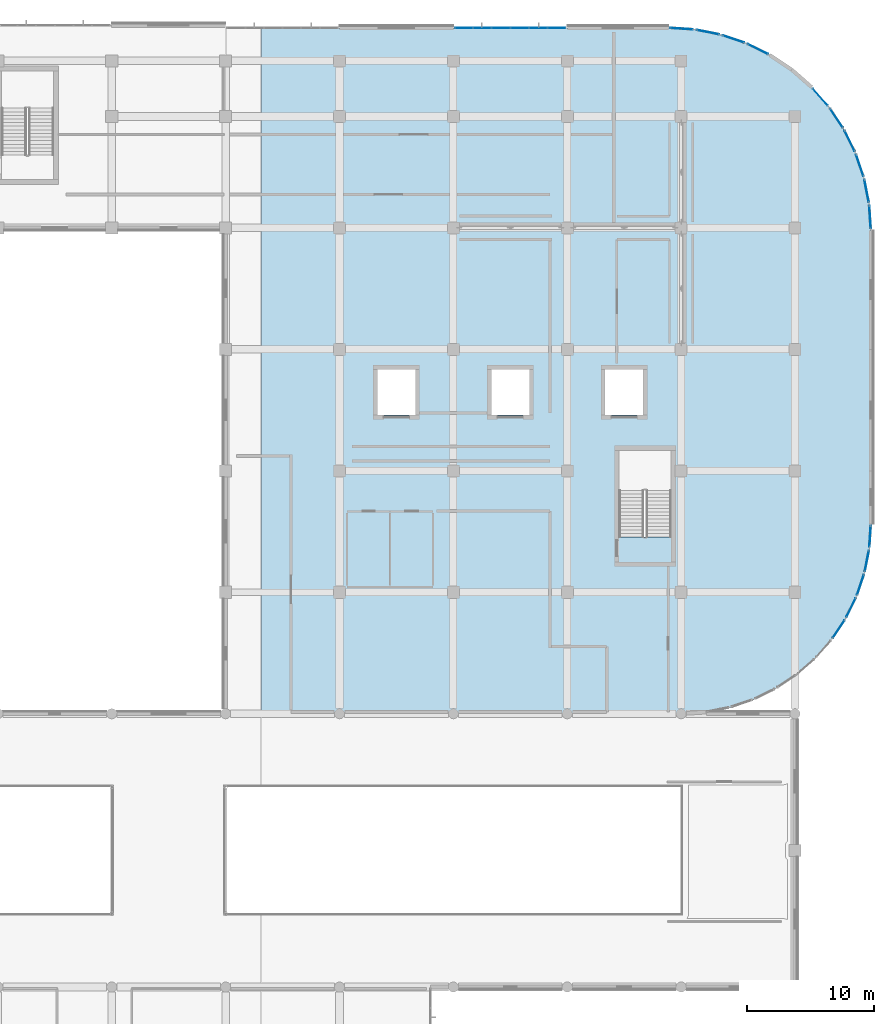
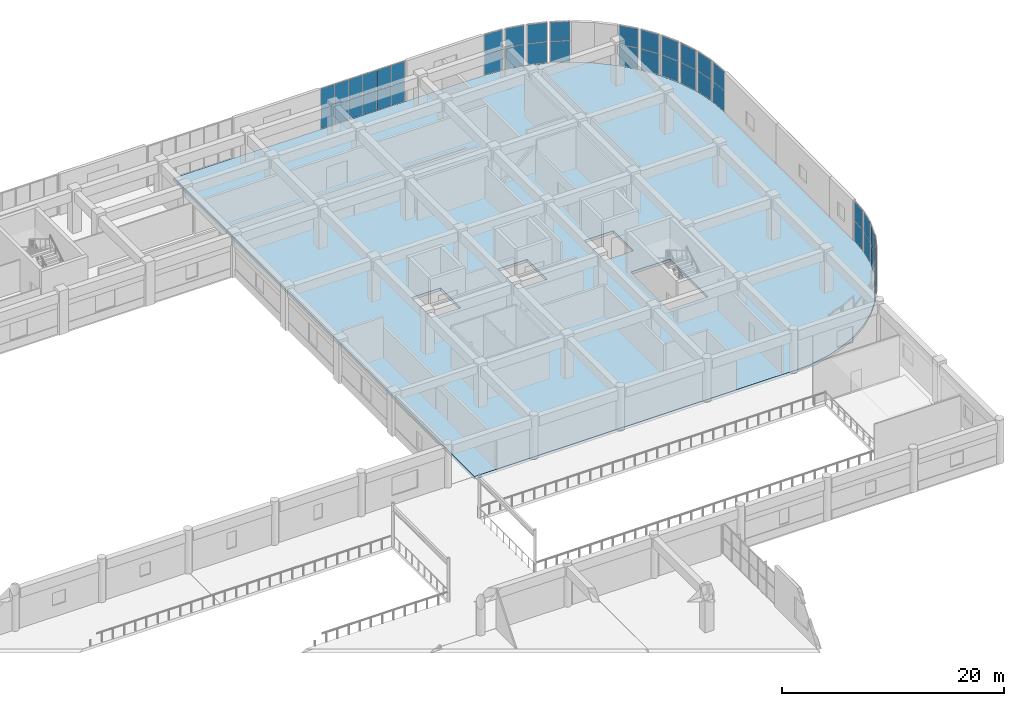
# One storey, part 49 of 86: 42 plates, 1 slab, 16 elements without a shape of their own.
"""IFC4 building model written with IfcOpenShell, lengths in metres."""

import ifcopenshell
import ifcopenshell.guid

model = None  # the IFC model being written
_history = None  # IfcOwnerHistory: only IFC2X3 demands one
_inside = {}  # id of a spatial element -> (the spatial element, [elements in it])
_under = {}  # id of a project, library or spatial element -> (it, [spatial elements below it])
_declared = {}  # id of a project -> (the project, [libraries it declares])
_typed = {}  # id of a type object -> (the type object, [elements of that type])
_made_of = {}  # id of a material, layer set ... -> (it, [elements and type objects made of it])


def new_model(schema):
    """Start an empty IFC model of exactly this schema.

    Asked for "IFC4X3", IfcOpenShell would pick the latest addendum, in which some entities
    have other attributes; the version numbers below select the first issue.
    IFC2X3 requires an IfcOwnerHistory on every rooted entity: one is made here for all.
    """
    global model, _history
    if schema == "IFC4X3":
        model = ifcopenshell.file(schema_version=(4, 3, 0, 0))
    else:
        model = ifcopenshell.file(schema=schema)
    _inside.clear()
    _under.clear()
    _declared.clear()
    _typed.clear()
    _made_of.clear()
    _history = None
    if model.schema == "IFC2X3":
        org = make("IfcOrganization", Name="unknown")
        user = make(
            "IfcPersonAndOrganization",
            ThePerson=make("IfcPerson", FamilyName="unknown"),
            TheOrganization=org,
        )
        app = make(
            "IfcApplication",
            ApplicationDeveloper=org,
            Version="unknown",
            ApplicationFullName="unknown",
            ApplicationIdentifier="unknown",
        )
        _history = make(
            "IfcOwnerHistory",
            OwningUser=user,
            OwningApplication=app,
            ChangeAction="ADDED",
            CreationDate=0,
        )
    return model


def make(cls, **values):
    """One entity of the class cls with the attributes given. An attribute that is None is left unset."""
    return model.create_entity(
        cls, **{name: value for name, value in values.items() if value is not None}
    )


def rooted(cls, **values):
    """An entity with a GlobalId (a new one), such as an element, a storey or a relation."""
    return make(cls, GlobalId=ifcopenshell.guid.new(), OwnerHistory=_history, **values)


def si_unit(unit_type, name, prefix=None):
    """IfcSIUnit, for example si_unit("LENGTHUNIT", "METRE", prefix="MILLI")."""
    return make("IfcSIUnit", UnitType=unit_type, Prefix=prefix, Name=name)


def assignment(units):
    """IfcUnitAssignment: the units of a project."""
    return None if units is None else make("IfcUnitAssignment", Units=units)


def point(xyz):
    """IfcCartesianPoint."""
    return None if xyz is None else make("IfcCartesianPoint", Coordinates=xyz)


def direction(xyz):
    """IfcDirection."""
    return None if xyz is None else make("IfcDirection", DirectionRatios=xyz)


def frame(location, z_axis=None, x_axis=None):
    """IfcAxis2Placement3D, a coordinate frame: its origin and axes. An axis left out is left unset."""
    return make(
        "IfcAxis2Placement3D",
        Location=point(location),
        Axis=direction(z_axis),
        RefDirection=direction(x_axis),
    )


def frame_2d(location, x_axis=None):
    """IfcAxis2Placement2D, a coordinate frame in the plane: its origin and x axis."""
    return make(
        "IfcAxis2Placement2D", Location=point(location), RefDirection=direction(x_axis)
    )


def origin():
    """The frame at (0, 0, 0) with its axes left unset."""
    return frame((0.0, 0.0, 0.0))


def origin_2d():
    """The frame at (0, 0) in the plane with its x axis left unset."""
    return frame_2d((0.0, 0.0))


def place(relative_to, where):
    """IfcLocalPlacement: puts the frame where relative to a parent placement (None: the world)."""
    return make(
        "IfcLocalPlacement", PlacementRelTo=relative_to, RelativePlacement=where
    )


def context(
    kind, dimensions, precision=None, world=None, true_north=None, identifier=None
):
    """IfcGeometricRepresentationContext, for example the 3D "Model" context."""
    return make(
        "IfcGeometricRepresentationContext",
        ContextIdentifier=identifier,
        ContextType=kind,
        CoordinateSpaceDimension=dimensions,
        Precision=precision,
        WorldCoordinateSystem=world,
        TrueNorth=true_north,
    )


def subcontext(parent, identifier, kind, view, scale=None):
    """IfcGeometricRepresentationSubContext, for example "Body" below "Model"."""
    return make(
        "IfcGeometricRepresentationSubContext",
        ContextIdentifier=identifier,
        ContextType=kind,
        ParentContext=parent,
        TargetScale=scale,
        TargetView=view,
    )


def project(units=None, contexts=None):
    """IfcProject with its units and contexts."""
    return rooted(
        "IfcProject",
        Name="project",
        RepresentationContexts=contexts,
        UnitsInContext=assignment(units),
    )


def spatial(cls, under=None, at=None, **own):
    """A site, building, storey or space (cls), placed at a placement, below another one or the project."""
    s = rooted(cls, ObjectPlacement=at, **own)
    if under is not None:
        _under.setdefault(under.id(), (under, []))[1].append(s)
    return s


def polyline(points):
    """IfcPolyline through the points."""
    return make("IfcPolyline", Points=[point(p) for p in points])


def profile(cls, at=None, kind="AREA", **sizes):
    """A parametric profile (cls). Its sizes go by their IFC names, for example OverallWidth=200.0."""
    return make(cls, ProfileType=kind, Position=at, **sizes)


def rectangle(**sizes):
    """IfcRectangleProfileDef."""
    return profile("IfcRectangleProfileDef", **sizes)


def outline(outer, holes=None, kind="AREA"):
    """IfcArbitraryClosedProfileDef: a profile drawn as a closed curve; with holes, ...WithVoids."""
    if holes is None:
        return make("IfcArbitraryClosedProfileDef", ProfileType=kind, OuterCurve=outer)
    return make(
        "IfcArbitraryProfileDefWithVoids",
        ProfileType=kind,
        OuterCurve=outer,
        InnerCurves=holes,
    )


def extrude(swept, where, along, depth):
    """IfcExtrudedAreaSolid: the profile swept, set in the frame where, extruded along a direction by depth."""
    return make(
        "IfcExtrudedAreaSolid",
        SweptArea=swept,
        Position=where,
        ExtrudedDirection=direction(along),
        Depth=depth,
    )


def shape(context_of_items, identifier, shape_type, items):
    """IfcShapeRepresentation: the items that make up one representation, for example the "Body"."""
    return make(
        "IfcShapeRepresentation",
        ContextOfItems=context_of_items,
        RepresentationIdentifier=identifier,
        RepresentationType=shape_type,
        Items=items,
    )


def material(Name=None, Category=None):
    """IfcMaterial."""
    return make("IfcMaterial", Name=Name, Category=Category)


def layer(
    of_material, thickness, ventilated=None, Name=None, Category=None, Priority=None
):
    """IfcMaterialLayer: one layer of a wall or slab, of a material (None: an air gap)."""
    return make(
        "IfcMaterialLayer",
        Material=of_material,
        LayerThickness=thickness,
        IsVentilated=ventilated,
        Name=Name,
        Category=Category,
        Priority=Priority,
    )


def layer_set(layers, Name=None):
    """IfcMaterialLayerSet."""
    return make("IfcMaterialLayerSet", MaterialLayers=layers, LayerSetName=Name)


def made_of(thing, what):
    """Note that an element or type object is made of a material, layer set ...; save() writes the relation."""
    if what is not None:
        _made_of.setdefault(what.id(), (what, []))[1].append(thing)
    return thing


def type_object(cls, material=None, **own):
    """A type object (cls), such as IfcWallType, which elements share."""
    return made_of(rooted(cls, **own), material)


def element(
    cls,
    number,
    at=None,
    inside=None,
    cuts=None,
    type_object=None,
    material=None,
    context=None,
    identifier="Body",
    shape_type=None,
    held_by="IfcProductDefinitionShape",
    body=None,
    shapes=None,
    **own,
):
    """One element of the class cls, such as IfcWall. Its Tag is "e" and its number.

    at: its placement. inside: the storey or other place that contains it. cuts: it is an
    opening in that element (IfcRelVoidsElement). A single representation is given by context,
    identifier, shape_type and body (its items); several are given by shapes. held_by: the class
    of the entity that holds the representations. save() writes the other relations.
    """
    e = rooted(cls, Tag="e%d" % number, ObjectPlacement=at, **own)
    if body is not None:
        shapes = [shape(context, identifier, shape_type, body)]
    if shapes is not None:
        e.Representation = make(held_by, Representations=shapes)
    if inside is not None:
        _inside.setdefault(inside.id(), (inside, []))[1].append(e)
    if cuts is not None:
        rooted(
            "IfcRelVoidsElement", RelatingBuildingElement=cuts, RelatedOpeningElement=e
        )
    if type_object is not None:
        _typed.setdefault(type_object.id(), (type_object, []))[1].append(e)
    return made_of(e, material)


def aggregate(whole, parts):
    """IfcRelAggregates: a whole, such as a stair, and the parts it consists of."""
    return rooted("IfcRelAggregates", RelatingObject=whole, RelatedObjects=parts)


def save(model, path):
    """Write the relations noted so far, then the file.

    IfcRelAggregates (storeys below a building ...), IfcRelContainedInSpatialStructure (elements
    in a storey), IfcRelDefinesByType, IfcRelAssociatesMaterial and IfcRelDeclares: one each for
    every whole, place, type object, material and project.
    """
    for whole, parts in _under.values():
        aggregate(whole, parts)
    for where, things in _inside.values():
        rooted(
            "IfcRelContainedInSpatialStructure",
            RelatedElements=things,
            RelatingStructure=where,
        )
    for kind, things in _typed.values():
        rooted("IfcRelDefinesByType", RelatedObjects=things, RelatingType=kind)
    for what, things in _made_of.values():
        rooted("IfcRelAssociatesMaterial", RelatedObjects=things, RelatingMaterial=what)
    for by, libraries in _declared.values():
        rooted("IfcRelDeclares", RelatingContext=by, RelatedDefinitions=libraries)
    model.write(path)


model = new_model("IFC4")

# Units and contexts
model_context = context("Model", 3, precision=1e-05, world=origin(), true_north=direction((0.0, 1.0)))
body_context = subcontext(model_context, "Body", "Model", "MODEL_VIEW")
ifc_project = project(units=[si_unit("LENGTHUNIT", "METRE"), si_unit("AREAUNIT", "SQUARE_METRE"), si_unit("VOLUMEUNIT", "CUBIC_METRE"), si_unit("PLANEANGLEUNIT", "RADIAN"), si_unit("MASSUNIT", "GRAM", prefix="KILO")], contexts=[model_context])

# Site, building, storey
site_placement = place(None, origin())
site = spatial("IfcSite", under=ifc_project, at=site_placement, CompositionType="ELEMENT")
building_placement = place(site_placement, origin())
building = spatial("IfcBuilding", under=site, at=building_placement, Name="Cendralis Terraced Arcade", CompositionType="ELEMENT")
storey_placement = place(building_placement, frame((0.0, 0.0, 5.39990234375)))
storey = spatial("IfcBuildingStorey", under=building, at=storey_placement, Name="L01", CompositionType="ELEMENT", Elevation=5.39990234375)

# Curtain wall, plates
ifc_material_1 = material(Name="Anodised aluminium EN AW-6063 T6", Category="aluminium")
ifc_layer_1 = layer(ifc_material_1, 0.1201171875, Name="CW-STORE-B")
ifc_layer_set_1 = layer_set([ifc_layer_1], Name="Anodised aluminium EN AW-6063 T6")
curtain_wall_type_1 = type_object("IfcCurtainWallType", Name="CW-STORE-B", PredefinedType="USERDEFINED", material=ifc_layer_set_1)
curtain_wall_1_placement = place(storey_placement, origin())
curtain_wall_1 = element("IfcCurtainWall", 1, at=curtain_wall_1_placement, inside=storey, type_object=curtain_wall_type_1, Name="Exterior Storefront Glazing CW-L01-0055", ObjectType="STOREFRONT GLAZING", PredefinedType="USERDEFINED")
ifc_material_2 = material(Name="Tempered solar control laminated glass", Category="glass")
ifc_layer_2 = layer(ifc_material_2, 0.02392578125, Name="CW-STORE-B-PNL")
ifc_layer_set_2 = layer_set([ifc_layer_2], Name="Tempered solar control laminated glass")
plate_type_1 = type_object("IfcPlateType", Name="CW-STORE-B-PNL", PredefinedType="CURTAIN_PANEL", material=ifc_layer_set_2)
plate_1_placement = place(storey_placement, frame((140.038818359375, 114.199951171875, 0.05517578125), z_axis=(0.0, 0.0, 1.0), x_axis=(1.0, 0.0, 0.0)))
plate_1 = element("IfcPlate", 2, at=plate_1_placement, type_object=plate_type_1, Name="CW-S2 panel 1.1", PredefinedType="CURTAIN_PANEL", context=body_context, shape_type="SweptSolid", body=[
    extrude(rectangle(XDim=1.387451171875, YDim=0.02392578125, at=origin_2d()), origin(), (0.0, 0.0, 1.0), 2.260009765625),
])
plate_2_placement = place(storey_placement, frame((140.038818359375, 114.199951171875, 2.3701171875), z_axis=(0.0, 0.0, 1.0), x_axis=(1.0, 0.0, 0.0)))
plate_2 = element("IfcPlate", 3, at=plate_2_placement, type_object=plate_type_1, Name="CW-S2 panel 1.2", PredefinedType="CURTAIN_PANEL", context=body_context, shape_type="SweptSolid", body=[
    extrude(rectangle(XDim=1.387451171875, YDim=0.02392578125, at=origin_2d()), origin(), (0.0, 0.0, 1.0), 2.079833984375),
])
plate_3_placement = place(storey_placement, frame((141.4951171875, 114.199951171875, 0.05517578125), z_axis=(0.0, 0.0, 1.0), x_axis=(1.0, 0.0, 0.0)))
plate_3 = element("IfcPlate", 4, at=plate_3_placement, type_object=plate_type_1, Name="CW-S2 panel 2.1", PredefinedType="CURTAIN_PANEL", context=body_context, shape_type="SweptSolid", body=[
    extrude(rectangle(XDim=1.4150390625, YDim=0.02392578125, at=origin_2d()), origin(), (0.0, 0.0, 1.0), 2.260009765625),
])
plate_4_placement = place(storey_placement, frame((141.4951171875, 114.199951171875, 2.3701171875), z_axis=(0.0, 0.0, 1.0), x_axis=(1.0, 0.0, 0.0)))
plate_4 = element("IfcPlate", 5, at=plate_4_placement, type_object=plate_type_1, Name="CW-S2 panel 2.2", PredefinedType="CURTAIN_PANEL", context=body_context, shape_type="SweptSolid", body=[
    extrude(rectangle(XDim=1.4150390625, YDim=0.02392578125, at=origin_2d()), origin(), (0.0, 0.0, 1.0), 2.079833984375),
])
plate_5_placement = place(storey_placement, frame((142.965087890625, 114.199951171875, 0.05517578125), z_axis=(0.0, 0.0, 1.0), x_axis=(1.0, 0.0, 0.0)))
plate_5 = element("IfcPlate", 6, at=plate_5_placement, type_object=plate_type_1, Name="CW-S2 panel 3.1", PredefinedType="CURTAIN_PANEL", context=body_context, shape_type="SweptSolid", body=[
    extrude(rectangle(XDim=1.4150390625, YDim=0.02392578125, at=origin_2d()), origin(), (0.0, 0.0, 1.0), 2.260009765625),
])
plate_6_placement = place(storey_placement, frame((142.965087890625, 114.199951171875, 2.3701171875), z_axis=(0.0, 0.0, 1.0), x_axis=(1.0, 0.0, 0.0)))
plate_6 = element("IfcPlate", 7, at=plate_6_placement, type_object=plate_type_1, Name="CW-S2 panel 3.2", PredefinedType="CURTAIN_PANEL", context=body_context, shape_type="SweptSolid", body=[
    extrude(rectangle(XDim=1.4150390625, YDim=0.02392578125, at=origin_2d()), origin(), (0.0, 0.0, 1.0), 2.079833984375),
])
plate_7_placement = place(storey_placement, frame((144.43505859375, 114.199951171875, 0.05517578125), z_axis=(0.0, 0.0, 1.0), x_axis=(1.0, 0.0, 0.0)))
plate_7 = element("IfcPlate", 8, at=plate_7_placement, type_object=plate_type_1, Name="CW-S2 panel 4.1", PredefinedType="CURTAIN_PANEL", context=body_context, shape_type="SweptSolid", body=[
    extrude(rectangle(XDim=1.4150390625, YDim=0.02392578125, at=origin_2d()), origin(), (0.0, 0.0, 1.0), 2.260009765625),
])
plate_8_placement = place(storey_placement, frame((144.43505859375, 114.199951171875, 2.3701171875), z_axis=(0.0, 0.0, 1.0), x_axis=(1.0, 0.0, 0.0)))
plate_8 = element("IfcPlate", 9, at=plate_8_placement, type_object=plate_type_1, Name="CW-S2 panel 4.2", PredefinedType="CURTAIN_PANEL", context=body_context, shape_type="SweptSolid", body=[
    extrude(rectangle(XDim=1.4150390625, YDim=0.02392578125, at=origin_2d()), origin(), (0.0, 0.0, 1.0), 2.079833984375),
])
plate_9_placement = place(storey_placement, frame((145.905029296875, 114.199951171875, 0.05517578125), z_axis=(0.0, 0.0, 1.0), x_axis=(1.0, 0.0, 0.0)))
plate_9 = element("IfcPlate", 10, at=plate_9_placement, type_object=plate_type_1, Name="CW-S2 panel 5.1", PredefinedType="CURTAIN_PANEL", context=body_context, shape_type="SweptSolid", body=[
    extrude(rectangle(XDim=1.4150390625, YDim=0.02392578125, at=origin_2d()), origin(), (0.0, 0.0, 1.0), 2.260009765625),
])
plate_10_placement = place(storey_placement, frame((145.905029296875, 114.199951171875, 2.3701171875), z_axis=(0.0, 0.0, 1.0), x_axis=(1.0, 0.0, 0.0)))
plate_10 = element("IfcPlate", 11, at=plate_10_placement, type_object=plate_type_1, Name="CW-S2 panel 5.2", PredefinedType="CURTAIN_PANEL", context=body_context, shape_type="SweptSolid", body=[
    extrude(rectangle(XDim=1.4150390625, YDim=0.02392578125, at=origin_2d()), origin(), (0.0, 0.0, 1.0), 2.079833984375),
])
plate_11_placement = place(storey_placement, frame((147.361328125, 114.199951171875, 0.05517578125), z_axis=(0.0, 0.0, 1.0), x_axis=(1.0, 0.0, 0.0)))
plate_11 = element("IfcPlate", 12, at=plate_11_placement, type_object=plate_type_1, Name="CW-S2 panel 6.1", PredefinedType="CURTAIN_PANEL", context=body_context, shape_type="SweptSolid", body=[
    extrude(rectangle(XDim=1.387451171875, YDim=0.02392578125, at=origin_2d()), origin(), (0.0, 0.0, 1.0), 2.260009765625),
])
plate_12_placement = place(storey_placement, frame((147.361328125, 114.199951171875, 2.3701171875), z_axis=(0.0, 0.0, 1.0), x_axis=(1.0, 0.0, 0.0)))
plate_12 = element("IfcPlate", 13, at=plate_12_placement, type_object=plate_type_1, Name="CW-S2 panel 6.2", PredefinedType="CURTAIN_PANEL", context=body_context, shape_type="SweptSolid", body=[
    extrude(rectangle(XDim=1.387451171875, YDim=0.02392578125, at=origin_2d()), origin(), (0.0, 0.0, 1.0), 2.079833984375),
])
aggregate(curtain_wall_1, [plate_1, plate_2, plate_3, plate_4, plate_5, plate_6, plate_7, plate_8, plate_9, plate_10, plate_11, plate_12])

ifc_layer_3 = layer(ifc_material_1, 0.179931640625, Name="CW-UNIT-A")
ifc_layer_set_3 = layer_set([ifc_layer_3], Name="Anodised aluminium EN AW-6063 T6")
curtain_wall_type_2 = type_object("IfcCurtainWallType", Name="CW-UNIT-A", PredefinedType="USERDEFINED", material=ifc_layer_set_3)
curtain_wall_2_placement = place(storey_placement, origin())
curtain_wall_2 = element("IfcCurtainWall", 14, at=curtain_wall_2_placement, inside=storey, type_object=curtain_wall_type_2, Name="Exterior Unitised Facade CW-L01-0056", ObjectType="UNITISED FACADE", PredefinedType="USERDEFINED")
ifc_layer_4 = layer(ifc_material_2, 0.035888671875, Name="CW-UNIT-A-PNL")
ifc_layer_set_4 = layer_set([ifc_layer_4], Name="Tempered solar control laminated glass")
plate_type_2 = type_object("IfcPlateType", Name="CW-UNIT-A-PNL", PredefinedType="CURTAIN_PANEL", material=ifc_layer_set_4)
plate_13_placement = place(storey_placement, frame((157.244140625, 114.131591796875, 0.065185546875), z_axis=(0.0, 0.0, 1.0), x_axis=(0.997859242629, -0.065398256097, 0.0)))
plate_13 = element("IfcPlate", 15, at=plate_13_placement, type_object=plate_type_2, Name="CW-U1 panel 1.1", PredefinedType="CURTAIN_PANEL", context=body_context, shape_type="SweptSolid", body=[
    extrude(rectangle(XDim=1.782958984375, YDim=0.035888671875, at=origin_2d()), origin(), (0.0, 0.0, 1.0), 2.2451171875),
])
plate_14_placement = place(storey_placement, frame((157.244140625, 114.131591796875, 2.375244140625), z_axis=(0.0, 0.0, 1.0), x_axis=(0.997859242629, -0.065398256097, 0.0)))
plate_14 = element("IfcPlate", 16, at=plate_14_placement, type_object=plate_type_2, Name="CW-U1 panel 1.2", PredefinedType="CURTAIN_PANEL", context=body_context, shape_type="SweptSolid", body=[
    extrude(rectangle(XDim=1.782958984375, YDim=0.035888671875, at=origin_2d()), origin(), (0.0, 0.0, 1.0), 2.06494140625),
])
aggregate(curtain_wall_2, [plate_13, plate_14])

curtain_wall_3_placement = place(storey_placement, origin())
curtain_wall_3 = element("IfcCurtainWall", 17, at=curtain_wall_3_placement, inside=storey, type_object=curtain_wall_type_2, Name="Exterior Unitised Facade CW-L01-0057", ObjectType="UNITISED FACADE", PredefinedType="USERDEFINED")
plate_15_placement = place(storey_placement, frame((159.314697265625, 113.85888671875, 0.065185546875), z_axis=(0.0, 0.0, 1.0), x_axis=(0.980793231232, -0.195050346244, 0.0)))
plate_15 = element("IfcPlate", 18, at=plate_15_placement, type_object=plate_type_2, Name="CW-U1 panel 1.1", PredefinedType="CURTAIN_PANEL", context=body_context, shape_type="SweptSolid", body=[
    extrude(rectangle(XDim=1.782958984375, YDim=0.035888671875, at=origin_2d()), origin(), (0.0, 0.0, 1.0), 2.2451171875),
])
plate_16_placement = place(storey_placement, frame((159.314697265625, 113.85888671875, 2.375244140625), z_axis=(0.0, 0.0, 1.0), x_axis=(0.980793231232, -0.195050346244, 0.0)))
plate_16 = element("IfcPlate", 19, at=plate_16_placement, type_object=plate_type_2, Name="CW-U1 panel 1.2", PredefinedType="CURTAIN_PANEL", context=body_context, shape_type="SweptSolid", body=[
    extrude(rectangle(XDim=1.782958984375, YDim=0.035888671875, at=origin_2d()), origin(), (0.0, 0.0, 1.0), 2.06494140625),
])
aggregate(curtain_wall_3, [plate_15, plate_16])

curtain_wall_4_placement = place(storey_placement, origin())
curtain_wall_4 = element("IfcCurtainWall", 20, at=curtain_wall_4_placement, inside=storey, type_object=curtain_wall_type_2, Name="Exterior Unitised Facade CW-L01-0058", ObjectType="UNITISED FACADE", PredefinedType="USERDEFINED")
plate_17_placement = place(storey_placement, frame((161.33203125, 113.318359375, 0.065185546875), z_axis=(0.0, 0.0, 1.0), x_axis=(0.94692813167, -0.321445350645, 0.0)))
plate_17 = element("IfcPlate", 21, at=plate_17_placement, type_object=plate_type_2, Name="CW-U1 panel 1.1", PredefinedType="CURTAIN_PANEL", context=body_context, shape_type="SweptSolid", body=[
    extrude(rectangle(XDim=1.782958984375, YDim=0.035888671875, at=origin_2d()), origin(), (0.0, 0.0, 1.0), 2.2451171875),
])
plate_18_placement = place(storey_placement, frame((161.33203125, 113.318359375, 2.375244140625), z_axis=(0.0, 0.0, 1.0), x_axis=(0.94692813167, -0.321445350645, 0.0)))
plate_18 = element("IfcPlate", 22, at=plate_18_placement, type_object=plate_type_2, Name="CW-U1 panel 1.2", PredefinedType="CURTAIN_PANEL", context=body_context, shape_type="SweptSolid", body=[
    extrude(rectangle(XDim=1.782958984375, YDim=0.035888671875, at=origin_2d()), origin(), (0.0, 0.0, 1.0), 2.06494140625),
])
aggregate(curtain_wall_4, [plate_17, plate_18])

curtain_wall_5_placement = place(storey_placement, origin())
curtain_wall_5 = element("IfcCurtainWall", 23, at=curtain_wall_5_placement, inside=storey, type_object=curtain_wall_type_2, Name="Exterior Unitised Facade CW-L01-0059", ObjectType="UNITISED FACADE", PredefinedType="USERDEFINED")
plate_19_placement = place(storey_placement, frame((163.261474609375, 112.519287109375, 0.065185546875), z_axis=(0.0, 0.0, 1.0), x_axis=(0.896870586522, -0.442293060122, 0.0)))
plate_19 = element("IfcPlate", 24, at=plate_19_placement, type_object=plate_type_2, Name="CW-U1 panel 1.1", PredefinedType="CURTAIN_PANEL", context=body_context, shape_type="SweptSolid", body=[
    extrude(rectangle(XDim=1.782958984375, YDim=0.035888671875, at=origin_2d()), origin(), (0.0, 0.0, 1.0), 2.2451171875),
])
plate_20_placement = place(storey_placement, frame((163.261474609375, 112.519287109375, 2.375244140625), z_axis=(0.0, 0.0, 1.0), x_axis=(0.896870586522, -0.442293060122, 0.0)))
plate_20 = element("IfcPlate", 25, at=plate_20_placement, type_object=plate_type_2, Name="CW-U1 panel 1.2", PredefinedType="CURTAIN_PANEL", context=body_context, shape_type="SweptSolid", body=[
    extrude(rectangle(XDim=1.782958984375, YDim=0.035888671875, at=origin_2d()), origin(), (0.0, 0.0, 1.0), 2.06494140625),
])
aggregate(curtain_wall_5, [plate_19, plate_20])

curtain_wall_6_placement = place(storey_placement, origin())
curtain_wall_6 = element("IfcCurtainWall", 26, at=curtain_wall_6_placement, inside=storey, type_object=curtain_wall_type_2, Name="Exterior Unitised Facade CW-L01-0060", ObjectType="UNITISED FACADE", PredefinedType="USERDEFINED")
plate_21_placement = place(storey_placement, frame((168.20361328125, 108.72705078125, 0.065185546875), z_axis=(0.0, 0.0, 1.0), x_axis=(0.659410866, -0.751782754392, 0.0)))
plate_21 = element("IfcPlate", 27, at=plate_21_placement, type_object=plate_type_2, Name="CW-U1 panel 1.1", PredefinedType="CURTAIN_PANEL", context=body_context, shape_type="SweptSolid", body=[
    extrude(rectangle(XDim=1.782958984375, YDim=0.035888671875, at=origin_2d()), origin(), (0.0, 0.0, 1.0), 2.2451171875),
])
plate_22_placement = place(storey_placement, frame((168.20361328125, 108.72705078125, 2.375244140625), z_axis=(0.0, 0.0, 1.0), x_axis=(0.659410866, -0.751782754392, 0.0)))
plate_22 = element("IfcPlate", 28, at=plate_22_placement, type_object=plate_type_2, Name="CW-U1 panel 1.2", PredefinedType="CURTAIN_PANEL", context=body_context, shape_type="SweptSolid", body=[
    extrude(rectangle(XDim=1.782958984375, YDim=0.035888671875, at=origin_2d()), origin(), (0.0, 0.0, 1.0), 2.06494140625),
])
aggregate(curtain_wall_6, [plate_21, plate_22])

curtain_wall_7_placement = place(storey_placement, origin())
curtain_wall_7 = element("IfcCurtainWall", 29, at=curtain_wall_7_placement, inside=storey, type_object=curtain_wall_type_2, Name="Exterior Unitised Facade CW-L01-0061", ObjectType="UNITISED FACADE", PredefinedType="USERDEFINED")
plate_23_placement = place(storey_placement, frame((169.47509765625, 107.070068359375, 0.065185546875), z_axis=(0.0, 0.0, 1.0), x_axis=(0.555532306305, -0.831494952872, 0.0)))
plate_23 = element("IfcPlate", 30, at=plate_23_placement, type_object=plate_type_2, Name="CW-U1 panel 1.1", PredefinedType="CURTAIN_PANEL", context=body_context, shape_type="SweptSolid", body=[
    extrude(rectangle(XDim=1.782958984375, YDim=0.035888671875, at=origin_2d()), origin(), (0.0, 0.0, 1.0), 2.2451171875),
])
plate_24_placement = place(storey_placement, frame((169.47509765625, 107.070068359375, 2.375244140625), z_axis=(0.0, 0.0, 1.0), x_axis=(0.555532306305, -0.831494952872, 0.0)))
plate_24 = element("IfcPlate", 31, at=plate_24_placement, type_object=plate_type_2, Name="CW-U1 panel 1.2", PredefinedType="CURTAIN_PANEL", context=body_context, shape_type="SweptSolid", body=[
    extrude(rectangle(XDim=1.782958984375, YDim=0.035888671875, at=origin_2d()), origin(), (0.0, 0.0, 1.0), 2.06494140625),
])
aggregate(curtain_wall_7, [plate_23, plate_24])

curtain_wall_8_placement = place(storey_placement, origin())
curtain_wall_8 = element("IfcCurtainWall", 32, at=curtain_wall_8_placement, inside=storey, type_object=curtain_wall_type_2, Name="Exterior Unitised Facade CW-L01-0062", ObjectType="UNITISED FACADE", PredefinedType="USERDEFINED")
plate_25_placement = place(storey_placement, frame((170.519287109375, 105.261474609375, 0.065185546875), z_axis=(0.0, 0.0, 1.0), x_axis=(0.442293060122, -0.896870586522, 0.0)))
plate_25 = element("IfcPlate", 33, at=plate_25_placement, type_object=plate_type_2, Name="CW-U1 panel 1.1", PredefinedType="CURTAIN_PANEL", context=body_context, shape_type="SweptSolid", body=[
    extrude(rectangle(XDim=1.782958984375, YDim=0.035888671875, at=origin_2d()), origin(), (0.0, 0.0, 1.0), 2.2451171875),
])
plate_26_placement = place(storey_placement, frame((170.519287109375, 105.261474609375, 2.375244140625), z_axis=(0.0, 0.0, 1.0), x_axis=(0.442293060122, -0.896870586522, 0.0)))
plate_26 = element("IfcPlate", 34, at=plate_26_placement, type_object=plate_type_2, Name="CW-U1 panel 1.2", PredefinedType="CURTAIN_PANEL", context=body_context, shape_type="SweptSolid", body=[
    extrude(rectangle(XDim=1.782958984375, YDim=0.035888671875, at=origin_2d()), origin(), (0.0, 0.0, 1.0), 2.06494140625),
])
aggregate(curtain_wall_8, [plate_25, plate_26])

curtain_wall_9_placement = place(storey_placement, origin())
curtain_wall_9 = element("IfcCurtainWall", 35, at=curtain_wall_9_placement, inside=storey, type_object=curtain_wall_type_2, Name="Exterior Unitised Facade CW-L01-0063", ObjectType="UNITISED FACADE", PredefinedType="USERDEFINED")
plate_27_placement = place(storey_placement, frame((171.318359375, 103.33203125, 0.065185546875), z_axis=(0.0, 0.0, 1.0), x_axis=(0.321445350645, -0.94692813167, 0.0)))
plate_27 = element("IfcPlate", 36, at=plate_27_placement, type_object=plate_type_2, Name="CW-U1 panel 1.1", PredefinedType="CURTAIN_PANEL", context=body_context, shape_type="SweptSolid", body=[
    extrude(rectangle(XDim=1.782958984375, YDim=0.035888671875, at=origin_2d()), origin(), (0.0, 0.0, 1.0), 2.2451171875),
])
plate_28_placement = place(storey_placement, frame((171.318359375, 103.33203125, 2.375244140625), z_axis=(0.0, 0.0, 1.0), x_axis=(0.321445350645, -0.94692813167, 0.0)))
plate_28 = element("IfcPlate", 37, at=plate_28_placement, type_object=plate_type_2, Name="CW-U1 panel 1.2", PredefinedType="CURTAIN_PANEL", context=body_context, shape_type="SweptSolid", body=[
    extrude(rectangle(XDim=1.782958984375, YDim=0.035888671875, at=origin_2d()), origin(), (0.0, 0.0, 1.0), 2.06494140625),
])
aggregate(curtain_wall_9, [plate_27, plate_28])

curtain_wall_10_placement = place(storey_placement, origin())
curtain_wall_10 = element("IfcCurtainWall", 38, at=curtain_wall_10_placement, inside=storey, type_object=curtain_wall_type_2, Name="Exterior Unitised Facade CW-L01-0064", ObjectType="UNITISED FACADE", PredefinedType="USERDEFINED")
plate_29_placement = place(storey_placement, frame((171.85888671875, 101.314697265625, 0.065185546875), z_axis=(0.0, 0.0, 1.0), x_axis=(0.195050346244, -0.980793231232, 0.0)))
plate_29 = element("IfcPlate", 39, at=plate_29_placement, type_object=plate_type_2, Name="CW-U1 panel 1.1", PredefinedType="CURTAIN_PANEL", context=body_context, shape_type="SweptSolid", body=[
    extrude(rectangle(XDim=1.782958984375, YDim=0.035888671875, at=origin_2d()), origin(), (0.0, 0.0, 1.0), 2.2451171875),
])
plate_30_placement = place(storey_placement, frame((171.85888671875, 101.314697265625, 2.375244140625), z_axis=(0.0, 0.0, 1.0), x_axis=(0.195050346244, -0.980793231232, 0.0)))
plate_30 = element("IfcPlate", 40, at=plate_30_placement, type_object=plate_type_2, Name="CW-U1 panel 1.2", PredefinedType="CURTAIN_PANEL", context=body_context, shape_type="SweptSolid", body=[
    extrude(rectangle(XDim=1.782958984375, YDim=0.035888671875, at=origin_2d()), origin(), (0.0, 0.0, 1.0), 2.06494140625),
])
aggregate(curtain_wall_10, [plate_29, plate_30])

curtain_wall_11_placement = place(storey_placement, origin())
curtain_wall_11 = element("IfcCurtainWall", 41, at=curtain_wall_11_placement, inside=storey, type_object=curtain_wall_type_2, Name="Exterior Unitised Facade CW-L01-0065", ObjectType="UNITISED FACADE", PredefinedType="USERDEFINED")
plate_31_placement = place(storey_placement, frame((172.131591796875, 99.244140625, 0.065185546875), z_axis=(0.0, 0.0, 1.0), x_axis=(0.065398256097, -0.997859242629, 0.0)))
plate_31 = element("IfcPlate", 42, at=plate_31_placement, type_object=plate_type_2, Name="CW-U1 panel 1.1", PredefinedType="CURTAIN_PANEL", context=body_context, shape_type="SweptSolid", body=[
    extrude(rectangle(XDim=1.782958984375, YDim=0.035888671875, at=origin_2d()), origin(), (0.0, 0.0, 1.0), 2.2451171875),
])
plate_32_placement = place(storey_placement, frame((172.131591796875, 99.244140625, 2.375244140625), z_axis=(0.0, 0.0, 1.0), x_axis=(0.065398256097, -0.997859242629, 0.0)))
plate_32 = element("IfcPlate", 43, at=plate_32_placement, type_object=plate_type_2, Name="CW-U1 panel 1.2", PredefinedType="CURTAIN_PANEL", context=body_context, shape_type="SweptSolid", body=[
    extrude(rectangle(XDim=1.782958984375, YDim=0.035888671875, at=origin_2d()), origin(), (0.0, 0.0, 1.0), 2.06494140625),
])
aggregate(curtain_wall_11, [plate_31, plate_32])

curtain_wall_12_placement = place(storey_placement, origin())
curtain_wall_12 = element("IfcCurtainWall", 44, at=curtain_wall_12_placement, inside=storey, type_object=curtain_wall_type_2, Name="Exterior Unitised Facade CW-L01-0066", ObjectType="UNITISED FACADE", PredefinedType="USERDEFINED")
plate_33_placement = place(storey_placement, frame((172.1357421875, 74.02099609375, 0.065185546875), z_axis=(0.0, 0.0, 1.0), x_axis=(-0.065371873798, -0.997860971336, 0.0)))
plate_33 = element("IfcPlate", 45, at=plate_33_placement, type_object=plate_type_2, Name="CW-U1 panel 1.1", PredefinedType="CURTAIN_PANEL", context=body_context, shape_type="SweptSolid", body=[
    extrude(rectangle(XDim=1.652099609375, YDim=0.035888671875, at=origin_2d()), origin(), (0.0, 0.0, 1.0), 2.2451171875),
])
plate_34_placement = place(storey_placement, frame((172.1357421875, 74.02099609375, 2.375244140625), z_axis=(0.0, 0.0, 1.0), x_axis=(-0.065371873798, -0.997860971336, 0.0)))
plate_34 = element("IfcPlate", 46, at=plate_34_placement, type_object=plate_type_2, Name="CW-U1 panel 1.2", PredefinedType="CURTAIN_PANEL", context=body_context, shape_type="SweptSolid", body=[
    extrude(rectangle(XDim=1.652099609375, YDim=0.035888671875, at=origin_2d()), origin(), (0.0, 0.0, 1.0), 2.06494140625),
])
aggregate(curtain_wall_12, [plate_33, plate_34])

curtain_wall_13_placement = place(storey_placement, origin())
curtain_wall_13 = element("IfcCurtainWall", 47, at=curtain_wall_13_placement, inside=storey, type_object=curtain_wall_type_2, Name="Exterior Unitised Facade CW-L01-0067", ObjectType="UNITISED FACADE", PredefinedType="USERDEFINED")
plate_35_placement = place(storey_placement, frame((171.88037109375, 72.079833984375, 0.065185546875), z_axis=(0.0, 0.0, 1.0), x_axis=(-0.195058454434, -0.980791618721, 0.0)))
plate_35 = element("IfcPlate", 48, at=plate_35_placement, type_object=plate_type_2, Name="CW-U1 panel 1.1", PredefinedType="CURTAIN_PANEL", context=body_context, shape_type="SweptSolid", body=[
    extrude(rectangle(XDim=1.652099609375, YDim=0.035888671875, at=origin_2d()), origin(), (0.0, 0.0, 1.0), 2.2451171875),
])
plate_36_placement = place(storey_placement, frame((171.88037109375, 72.079833984375, 2.375244140625), z_axis=(0.0, 0.0, 1.0), x_axis=(-0.195058454434, -0.980791618721, 0.0)))
plate_36 = element("IfcPlate", 49, at=plate_36_placement, type_object=plate_type_2, Name="CW-U1 panel 1.2", PredefinedType="CURTAIN_PANEL", context=body_context, shape_type="SweptSolid", body=[
    extrude(rectangle(XDim=1.652099609375, YDim=0.035888671875, at=origin_2d()), origin(), (0.0, 0.0, 1.0), 2.06494140625),
])
aggregate(curtain_wall_13, [plate_35, plate_36])

curtain_wall_14_placement = place(storey_placement, origin())
curtain_wall_14 = element("IfcCurtainWall", 50, at=curtain_wall_14_placement, inside=storey, type_object=curtain_wall_type_2, Name="Exterior Unitised Facade CW-L01-0068", ObjectType="UNITISED FACADE", PredefinedType="USERDEFINED")
plate_37_placement = place(storey_placement, frame((171.37353515625, 70.188720703125, 0.065185546875), z_axis=(0.0, 0.0, 1.0), x_axis=(-0.321458077458, -0.946923811316, 0.0)))
plate_37 = element("IfcPlate", 51, at=plate_37_placement, type_object=plate_type_2, Name="CW-U1 panel 1.1", PredefinedType="CURTAIN_PANEL", context=body_context, shape_type="SweptSolid", body=[
    extrude(rectangle(XDim=1.652099609375, YDim=0.035888671875, at=origin_2d()), origin(), (0.0, 0.0, 1.0), 2.2451171875),
])
plate_38_placement = place(storey_placement, frame((171.37353515625, 70.188720703125, 2.375244140625), z_axis=(0.0, 0.0, 1.0), x_axis=(-0.321458077458, -0.946923811316, 0.0)))
plate_38 = element("IfcPlate", 52, at=plate_38_placement, type_object=plate_type_2, Name="CW-U1 panel 1.2", PredefinedType="CURTAIN_PANEL", context=body_context, shape_type="SweptSolid", body=[
    extrude(rectangle(XDim=1.652099609375, YDim=0.035888671875, at=origin_2d()), origin(), (0.0, 0.0, 1.0), 2.06494140625),
])
aggregate(curtain_wall_14, [plate_37, plate_38])

curtain_wall_15_placement = place(storey_placement, origin())
curtain_wall_15 = element("IfcCurtainWall", 53, at=curtain_wall_15_placement, inside=storey, type_object=curtain_wall_type_2, Name="Exterior Unitised Facade CW-L01-0069", ObjectType="UNITISED FACADE", PredefinedType="USERDEFINED")
plate_39_placement = place(storey_placement, frame((170.624267578125, 68.3798828125, 0.065185546875), z_axis=(0.0, 0.0, 1.0), x_axis=(-0.442291247495, -0.896871480419, 0.0)))
plate_39 = element("IfcPlate", 54, at=plate_39_placement, type_object=plate_type_2, Name="CW-U1 panel 1.1", PredefinedType="CURTAIN_PANEL", context=body_context, shape_type="SweptSolid", body=[
    extrude(rectangle(XDim=1.652099609375, YDim=0.035888671875, at=origin_2d()), origin(), (0.0, 0.0, 1.0), 2.2451171875),
])
plate_40_placement = place(storey_placement, frame((170.624267578125, 68.3798828125, 2.375244140625), z_axis=(0.0, 0.0, 1.0), x_axis=(-0.442291247495, -0.896871480419, 0.0)))
plate_40 = element("IfcPlate", 55, at=plate_40_placement, type_object=plate_type_2, Name="CW-U1 panel 1.2", PredefinedType="CURTAIN_PANEL", context=body_context, shape_type="SweptSolid", body=[
    extrude(rectangle(XDim=1.652099609375, YDim=0.035888671875, at=origin_2d()), origin(), (0.0, 0.0, 1.0), 2.06494140625),
])
aggregate(curtain_wall_15, [plate_39, plate_40])

curtain_wall_16_placement = place(storey_placement, origin())
curtain_wall_16 = element("IfcCurtainWall", 56, at=curtain_wall_16_placement, inside=storey, type_object=curtain_wall_type_2, Name="Exterior Unitised Facade CW-L01-0070", ObjectType="UNITISED FACADE", PredefinedType="USERDEFINED")
plate_41_placement = place(storey_placement, frame((169.645263671875, 66.684326171875, 0.065185546875), z_axis=(0.0, 0.0, 1.0), x_axis=(-0.555567476528, -0.831471454125, 0.0)))
plate_41 = element("IfcPlate", 57, at=plate_41_placement, type_object=plate_type_2, Name="CW-U1 panel 1.1", PredefinedType="CURTAIN_PANEL", context=body_context, shape_type="SweptSolid", body=[
    extrude(rectangle(XDim=1.652099609375, YDim=0.035888671875, at=origin_2d()), origin(), (0.0, 0.0, 1.0), 2.2451171875),
])
plate_42_placement = place(storey_placement, frame((169.645263671875, 66.684326171875, 2.375244140625), z_axis=(0.0, 0.0, 1.0), x_axis=(-0.555567476528, -0.831471454125, 0.0)))
plate_42 = element("IfcPlate", 58, at=plate_42_placement, type_object=plate_type_2, Name="CW-U1 panel 1.2", PredefinedType="CURTAIN_PANEL", context=body_context, shape_type="SweptSolid", body=[
    extrude(rectangle(XDim=1.652099609375, YDim=0.035888671875, at=origin_2d()), origin(), (0.0, 0.0, 1.0), 2.06494140625),
])
aggregate(curtain_wall_16, [plate_41, plate_42])

# Slab
ifc_material_3 = material(Name="Concrete f'c 35 MPa", Category="concrete")
ifc_layer_5 = layer(ifc_material_3, 0.31005859375, Name="SLB-L01-310")
ifc_layer_set_5 = layer_set([ifc_layer_5], Name="Concrete f'c 35 MPa")
slab_type = type_object("IfcSlabType", Name="SLB-L01-310", PredefinedType="FLOOR", material=ifc_layer_set_5)
slab_placement = place(storey_placement, frame((0.0, 0.0, -0.309814453125)))
element("IfcSlab", 59, at=slab_placement, inside=storey, type_object=slab_type, Name="Reinforced Concrete Floor Slab SLB-L01-V5-E1-1", PredefinedType="FLOOR", context=body_context, shape_type="SweptSolid", body=[
    extrude(outline(polyline([(160.341064453125, 113.65478515625), (162.322998046875, 112.982177734375), (164.199951171875, 112.056396484375), (165.940185546875, 110.893798828125), (167.513671875, 109.513671875), (168.893798828125, 107.940185546875), (170.056396484375, 106.199951171875), (170.982177734375, 104.322998046875), (171.65478515625, 102.341064453125), (172.06298828125, 100.288330078125), (172.199951171875, 98.199951171875), (172.199951171875, 75.0), (172.07177734375, 73.0419921875), (171.68896484375, 71.11767578125), (171.05810546875, 69.259765625), (170.1904296875, 67.5), (169.100341796875, 65.86865234375), (167.806640625, 64.393310546875), (166.331298828125, 63.099609375), (164.699951171875, 62.009521484375), (162.940185546875, 61.141845703125), (161.082275390625, 60.510986328125), (159.157958984375, 60.12841796875), (157.505126953125, 60.02001953125), (124.02001953125, 60.02001953125), (124.02001953125, 114.199951171875), (156.199951171875, 114.199951171875), (158.288330078125, 114.06298828125), (160.341064453125, 113.65478515625)]), holes=[polyline([(156.39990234375, 80.800048828125), (152.300048828125, 80.800048828125), (152.300048828125, 73.97998046875), (156.39990234375, 73.97998046875), (156.39990234375, 80.800048828125)]), polyline([(136.199951171875, 87.199951171875), (133.199951171875, 87.199951171875), (133.199951171875, 83.60009765625), (136.199951171875, 83.60009765625), (136.199951171875, 87.199951171875)]), polyline([(145.199951171875, 87.199951171875), (142.199951171875, 87.199951171875), (142.199951171875, 83.60009765625), (145.199951171875, 83.60009765625), (145.199951171875, 87.199951171875)]), polyline([(154.199951171875, 87.199951171875), (151.199951171875, 87.199951171875), (151.199951171875, 83.60009765625), (154.199951171875, 83.60009765625), (154.199951171875, 87.199951171875)])]), origin(), (0.0, 0.0, 1.0), 0.309814453125),
])

save(model, "model.ifc")
